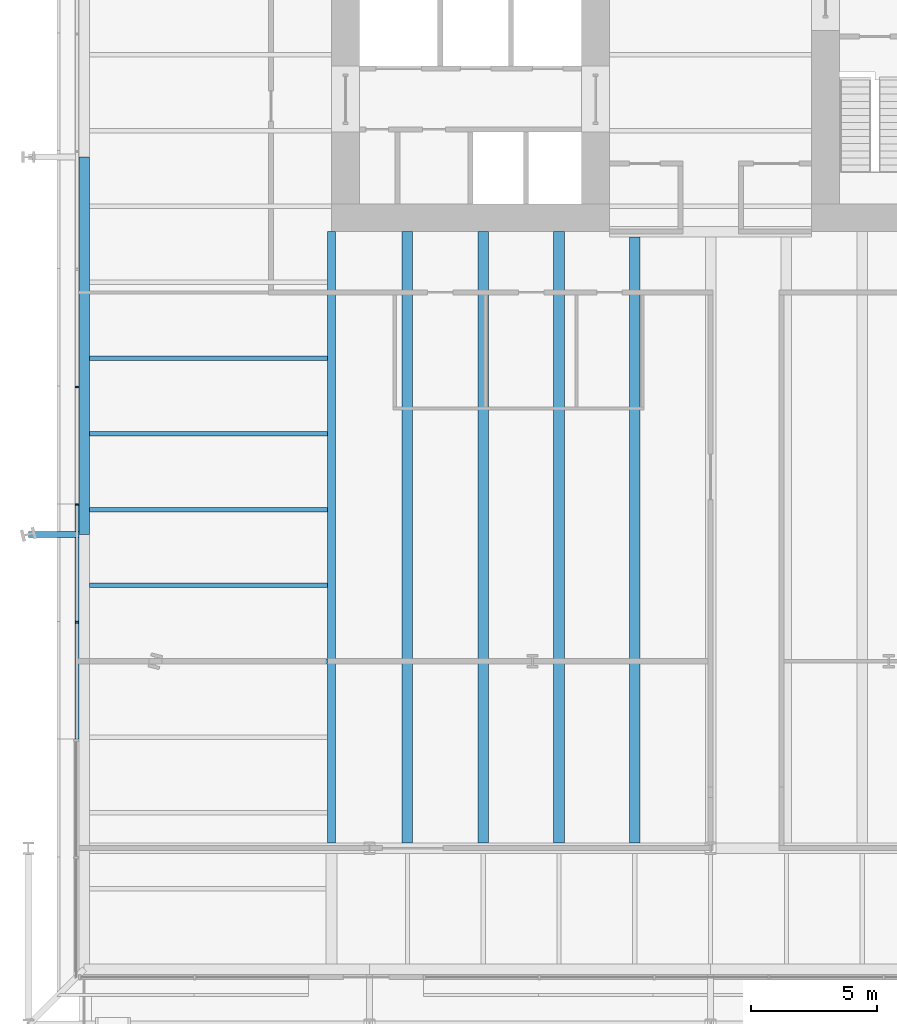
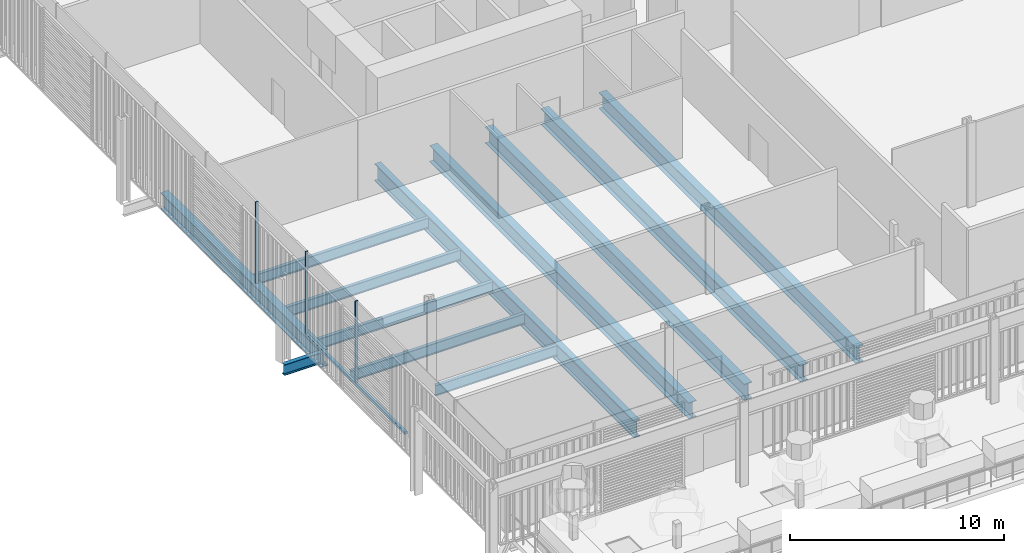
# One storey, part 4 of 25: 12 beams, 4 members, 2 elements without a shape of their own.
"""IFC4 building model written with IfcOpenShell, lengths in metres."""

from ifc_helpers import new_model, si_unit, direction, frame, origin, origin_2d, place, context, subcontext, project, spatial, rectangle, i_section, extrude, material, layer, layer_set, material_profile, profile_set, type_object, element, aggregate, save


model = new_model("IFC4")

# Units and contexts
model_context = context("Model", 3, precision=1e-05, world=origin(), true_north=direction((0.0, 1.0)))
body_context = subcontext(model_context, "Body", "Model", "MODEL_VIEW")
ifc_project = project(units=[si_unit("LENGTHUNIT", "METRE"), si_unit("AREAUNIT", "SQUARE_METRE"), si_unit("VOLUMEUNIT", "CUBIC_METRE"), si_unit("PLANEANGLEUNIT", "RADIAN"), si_unit("MASSUNIT", "GRAM", prefix="KILO")], contexts=[model_context])

# Site, building, storey
site_placement = place(None, origin())
site = spatial("IfcSite", under=ifc_project, at=site_placement, CompositionType="ELEMENT")
building_placement = place(site_placement, origin())
building = spatial("IfcBuilding", under=site, at=building_placement, Name="Millrace Tower", CompositionType="ELEMENT")
storey_placement = place(building_placement, frame((0.0, 0.0, 6.5)))
storey = spatial("IfcBuildingStorey", under=building, at=storey_placement, Name="L02", CompositionType="ELEMENT", Elevation=6.5)

# Curtain wall, member
ifc_material_1 = material(Name="Aluminium and glass", Category="aluminium")
ifc_layer_1 = layer(ifc_material_1, 0.14990234375)
ifc_layer_set_1 = layer_set([ifc_layer_1], Name="Aluminium and glass")
curtain_wall_type_1 = type_object("IfcCurtainWallType", Name="CW-2 data hall insulated curtain wall", PredefinedType="NOTDEFINED", material=ifc_layer_set_1)
placement = place(storey_placement, origin())
curtain_wall_1 = element("IfcCurtainWall", 1, at=placement, inside=storey, type_object=curtain_wall_type_1, Name="Curtain wall AW2-F06 L02", PredefinedType="NOTDEFINED")
ifc_material_2 = material(Name="Aluminium", Category="aluminium")
ifc_material_profile_1 = material_profile(ifc_material_2, rectangle(XDim=0.06494140625, YDim=0.14990234375, at=origin_2d()))
ifc_profile_set_1 = profile_set([ifc_material_profile_1], Name="Aluminium")
member_type_1 = type_object("IfcMemberType", Name="CW-2 data hall insulated curtain wall mullion", PredefinedType="MULLION", material=ifc_profile_set_1)
member_1_placement = place(storey_placement, frame((-25.074951171875, -16.14404296875, 0.159912109375), z_axis=(0.0, 0.0, 1.0), x_axis=(0.0, -1.0, 0.0)))
member_1 = element("IfcMember", 2, at=member_1_placement, type_object=member_type_1, Name="CW2 mullion AW2-F06.9", PredefinedType="MULLION", context=body_context, shape_type="SweptSolid", body=[
    extrude(rectangle(XDim=0.06494140625, YDim=0.14990234375, at=origin_2d()), origin(), (0.0, 0.0, 1.0), 4.64013671875),
])
aggregate(curtain_wall_1, [member_1])

# Curtain wall, members
ifc_material_3 = material(Name="Aluminium and glass", Category="aluminium")
ifc_layer_2 = layer(ifc_material_3, 0.14990234375)
ifc_layer_set_2 = layer_set([ifc_layer_2], Name="Aluminium and glass")
curtain_wall_type_2 = type_object("IfcCurtainWallType", Name="CW-5 truss and plant storey louvred infill", PredefinedType="NOTDEFINED", material=ifc_layer_set_2)
curtain_wall_2 = element("IfcCurtainWall", 3, at=placement, inside=storey, type_object=curtain_wall_type_2, Name="Curtain wall AW2-F06 L02 CW5", PredefinedType="NOTDEFINED")
ifc_material_4 = material(Name="Aluminium", Category="aluminium")
ifc_material_profile_2 = material_profile(ifc_material_4, rectangle(XDim=0.06494140625, YDim=0.14990234375, at=origin_2d()))
ifc_profile_set_2 = profile_set([ifc_material_profile_2], Name="Aluminium")
member_type_2 = type_object("IfcMemberType", Name="CW-5 truss and plant storey louvred infill mullion", PredefinedType="MULLION", material=ifc_profile_set_2)
member_2_placement = place(storey_placement, frame((-25.074951171875, -20.8017578125, 0.139892578125), z_axis=(0.0, 0.0, 1.0), x_axis=(0.0, -1.0, 0.0)))
member_2 = element("IfcMember", 4, at=member_2_placement, type_object=member_type_2, Name="CW5 mullion AW2-F06.10", PredefinedType="MULLION", context=body_context, shape_type="SweptSolid", body=[
    extrude(rectangle(XDim=0.06494140625, YDim=0.14990234375, at=origin_2d()), origin(), (0.0, 0.0, 1.0), 4.66015625),
])
member_3_placement = place(storey_placement, frame((-25.074951171875, -25.45947265625, 0.139892578125), z_axis=(0.0, 0.0, 1.0), x_axis=(0.0, -1.0, 0.0)))
member_3 = element("IfcMember", 5, at=member_3_placement, type_object=member_type_2, Name="CW5 mullion AW2-F06.11", PredefinedType="MULLION", context=body_context, shape_type="SweptSolid", body=[
    extrude(rectangle(XDim=0.06494140625, YDim=0.14990234375, at=origin_2d()), origin(), (0.0, 0.0, 1.0), 4.66015625),
])
ifc_material_5 = material(Name="Aluminium", Category="aluminium")
ifc_material_profile_3 = material_profile(ifc_material_5, rectangle(XDim=0.14990234375, YDim=0.139892578125, at=origin_2d()))
ifc_profile_set_3 = profile_set([ifc_material_profile_3], Name="Aluminium")
member_type_3 = type_object("IfcMemberType", Name="CW-5 truss and plant storey louvred infill transom", PredefinedType="USERDEFINED", material=ifc_profile_set_3)
member_4_placement = place(storey_placement, frame((-25.074951171875, -20.769287109375, 0.070068359375), z_axis=(0.0, -1.0, 0.0), x_axis=(1.0, 0.0, 0.0)))
member_4 = element("IfcMember", 6, at=member_4_placement, type_object=member_type_3, Name="CW5 transom AW2-F06.2", ObjectType="TRANSOM", PredefinedType="USERDEFINED", context=body_context, shape_type="SweptSolid", body=[
    extrude(rectangle(XDim=0.14990234375, YDim=0.139892578125, at=origin_2d()), origin(), (0.0, 0.0, 1.0), 9.3154296875),
])
aggregate(curtain_wall_2, [member_2, member_3, member_4])

# Beams
ifc_material_6 = material(Name="Steel ASTM A992 Grade 50", Category="steel")
ifc_material_profile_4 = material_profile(ifc_material_6, i_section(OverallWidth=0.177978515625, OverallDepth=0.599365234375, WebThickness=0.010009765625, FlangeThickness=0.012939453125, FilletRadius=0.012939453125, at=origin_2d()))
ifc_profile_set_4 = profile_set([ifc_material_profile_4], Name="Steel ASTM A992 Grade 50")
beam_type_1 = type_object("IfcBeamType", Name="Floor beam W24x55", PredefinedType="JOIST", material=ifc_profile_set_4)
beam_1_placement = place(storey_placement, frame((-21.718505859375, -27.0, -0.524658203125), z_axis=(1.0, 0.0, 0.0), x_axis=(0.0, 1.0, 0.0)))
element("IfcBeam", 7, at=beam_1_placement, inside=storey, type_object=beam_type_1, Name="BM-A-L02-S1-S008", PredefinedType="JOIST", context=body_context, shape_type="SweptSolid", body=[
    extrude(i_section(OverallWidth=0.177978515625, OverallDepth=0.599365234375, WebThickness=0.010009765625, FlangeThickness=0.012939453125, FilletRadius=0.012939453125, at=origin_2d()), origin(), (0.0, 0.0, 1.0), 6.554443359375),
])
ifc_material_7 = material(Name="Steel ASTM A992 Grade 50", Category="steel")
ifc_material_profile_5 = material_profile(ifc_material_7, i_section(OverallWidth=0.1787109375, OverallDepth=0.60205078125, WebThickness=0.010986328125, FlangeThickness=0.014892578125, FilletRadius=0.0126953125, at=origin_2d()))
ifc_profile_set_5 = profile_set([ifc_material_profile_5], Name="Steel ASTM A992 Grade 50")
beam_type_2 = type_object("IfcBeamType", Name="Floor beam W24x62", PredefinedType="JOIST", material=ifc_profile_set_5)
for number, where, z_axis, x_axis, name in (
    (8, (-24.578369140625, -24.0, -0.52587890625), (1.0, 0.0, 0.0), (0.0, 1.0, 0.0), "BM-A-L02-S1-S011"),
    (9, (-24.578369140625, -21.0, -0.52587890625), (1.0, 0.0, 0.0), (0.0, 1.0, 0.0), "BM-A-L02-S1-S013"),
    (10, (-24.578369140625, -18.0, -0.52587890625), (1.0, 0.0, 0.0), (0.0, 1.0, 0.0), "BM-A-L02-S1-S015"),
    (11, (-24.578369140625, -15.0, -0.52587890625), (1.0, 0.0, 0.0), (0.0, 1.0, 0.0), "BM-A-L02-S1-S017"),
):
    element("IfcBeam", number, at=place(storey_placement, frame(where, z_axis=z_axis, x_axis=x_axis)), inside=storey, type_object=beam_type_2, Name=name, PredefinedType="JOIST", context=body_context, shape_type="SweptSolid", body=[
        extrude(i_section(OverallWidth=0.1787109375, OverallDepth=0.60205078125, WebThickness=0.010986328125, FlangeThickness=0.014892578125, FilletRadius=0.0126953125, at=origin_2d()), origin(), (0.0, 0.0, 1.0), 9.414306640625),
    ])
ifc_material_8 = material(Name="Steel ASTM A992 Grade 50", Category="steel")
ifc_material_profile_6 = material_profile(ifc_material_8, i_section(OverallWidth=0.419189453125, OverallDepth=0.927001953125, WebThickness=0.019287109375, FlangeThickness=0.031982421875, FilletRadius=0.024169921875, at=origin_2d()))
ifc_profile_set_6 = profile_set([ifc_material_profile_6], Name="Steel ASTM A992 Grade 50")
beam_type_3 = type_object("IfcBeamType", Name="Floor beam W36x231", PredefinedType="JOIST", material=ifc_profile_set_6)
for number, where, z_axis, x_axis, name in (
    (12, (-12.0, -34.18798828125, -0.6884765625), (0.0, 1.0, 0.0), (-1.0, 0.0, 0.0), "BM-A-L02-S1-S054"),
    (13, (-9.0, -34.18798828125, -0.6884765625), (0.0, 1.0, 0.0), (-1.0, 0.0, 0.0), "BM-A-L02-S1-S057"),
    (14, (-6.0, -34.18798828125, -0.6884765625), (0.0, 1.0, 0.0), (-1.0, 0.0, 0.0), "BM-A-L02-S1-S060"),
):
    element("IfcBeam", number, at=place(storey_placement, frame(where, z_axis=z_axis, x_axis=x_axis)), inside=storey, type_object=beam_type_3, Name=name, PredefinedType="JOIST", context=body_context, shape_type="SweptSolid", body=[
        extrude(i_section(OverallWidth=0.419189453125, OverallDepth=0.927001953125, WebThickness=0.019287109375, FlangeThickness=0.031982421875, FilletRadius=0.024169921875, at=origin_2d()), origin(), (0.0, 0.0, 1.0), 24.18798828125),
    ])
beam_2_placement = place(storey_placement, frame((-3.0, -34.18798828125, -0.6884765625), z_axis=(0.0, 1.0, 0.0), x_axis=(-1.0, 0.0, 0.0)))
element("IfcBeam", 15, at=beam_2_placement, inside=storey, type_object=beam_type_3, Name="BM-A-L02-S1-S063", PredefinedType="JOIST", context=body_context, shape_type="SweptSolid", body=[
    extrude(i_section(OverallWidth=0.419189453125, OverallDepth=0.927001953125, WebThickness=0.019287109375, FlangeThickness=0.031982421875, FilletRadius=0.024169921875, at=origin_2d()), origin(), (0.0, 0.0, 1.0), 23.975830078125),
])
ifc_material_9 = material(Name="Steel ASTM A992 Grade 50", Category="steel")
ifc_material_profile_7 = material_profile(ifc_material_9, i_section(OverallWidth=0.322509765625, OverallDepth=0.9931640625, WebThickness=0.0361328125, FlangeThickness=0.06494140625, FilletRadius=0.01904296875, at=origin_2d()))
ifc_profile_set_7 = profile_set([ifc_material_profile_7], Name="Steel ASTM A992 Grade 50")
beam_type_4 = type_object("IfcBeamType", Name="Girder long span W36x387", PredefinedType="BEAM", material=ifc_profile_set_7)
beam_3_placement = place(storey_placement, frame((-15.0, -34.18798828125, -0.7216796875), z_axis=(0.0, 1.0, 0.0), x_axis=(-1.0, 0.0, 0.0)))
element("IfcBeam", 16, at=beam_3_placement, inside=storey, type_object=beam_type_4, Name="BM-A-L02-S1-G081", PredefinedType="BEAM", context=body_context, shape_type="SweptSolid", body=[
    extrude(i_section(OverallWidth=0.322509765625, OverallDepth=0.9931640625, WebThickness=0.0361328125, FlangeThickness=0.06494140625, FilletRadius=0.01904296875, at=origin_2d()), origin(), (0.0, 0.0, 1.0), 24.18798828125),
])
ifc_material_10 = material(Name="Steel ASTM A992 Grade 50", Category="steel")
ifc_material_profile_8 = material_profile(ifc_material_10, i_section(OverallWidth=0.23046875, OverallDepth=0.6171875, WebThickness=0.01318359375, FlangeThickness=0.022216796875, FilletRadius=0.012939453125, at=origin_2d()))
ifc_profile_set_8 = profile_set([ifc_material_profile_8], Name="Steel ASTM A992 Grade 50")
beam_type_5 = type_object("IfcBeamType", Name="Link beam W24x94", PredefinedType="BEAM", material=ifc_profile_set_8)
beam_4_placement = place(storey_placement, frame((-25.0, -21.978515625, -0.53369140625), z_axis=(-1.0, 0.0, 0.0), x_axis=(0.0, -1.0, 0.0)))
element("IfcBeam", 17, at=beam_4_placement, inside=storey, type_object=beam_type_5, Name="LNK-A-L02-S1-02", PredefinedType="BEAM", context=body_context, shape_type="SweptSolid", body=[
    extrude(i_section(OverallWidth=0.23046875, OverallDepth=0.6171875, WebThickness=0.01318359375, FlangeThickness=0.022216796875, FilletRadius=0.012939453125, at=origin_2d()), origin(), (0.0, 0.0, 1.0), 2.0),
])
ifc_material_11 = material(Name="Steel ASTM A992 Grade 50", Category="steel")
ifc_material_profile_9 = material_profile(ifc_material_11, i_section(OverallWidth=0.421630859375, OverallDepth=0.937255859375, WebThickness=0.021240234375, FlangeThickness=0.03662109375, FilletRadius=0.024169921875, at=origin_2d()))
ifc_profile_set_9 = profile_set([ifc_material_profile_9], Name="Steel ASTM A992 Grade 50")
beam_type_6 = type_object("IfcBeamType", Name="Ring beam medium span W36x262", PredefinedType="SPANDREL", material=ifc_profile_set_9)
beam_5_placement = place(storey_placement, frame((-24.7890625, -21.978515625, -0.693603515625), z_axis=(0.0, 1.0, 0.0), x_axis=(-1.0, 0.0, 0.0)))
element("IfcBeam", 18, at=beam_5_placement, inside=storey, type_object=beam_type_6, Name="RNG-A-L02-S1-02", PredefinedType="SPANDREL", context=body_context, shape_type="SweptSolid", body=[
    extrude(i_section(OverallWidth=0.421630859375, OverallDepth=0.937255859375, WebThickness=0.021240234375, FlangeThickness=0.03662109375, FilletRadius=0.024169921875, at=origin_2d()), origin(), (0.0, 0.0, 1.0), 14.928466796875),
])

save(model, "model.ifc")
